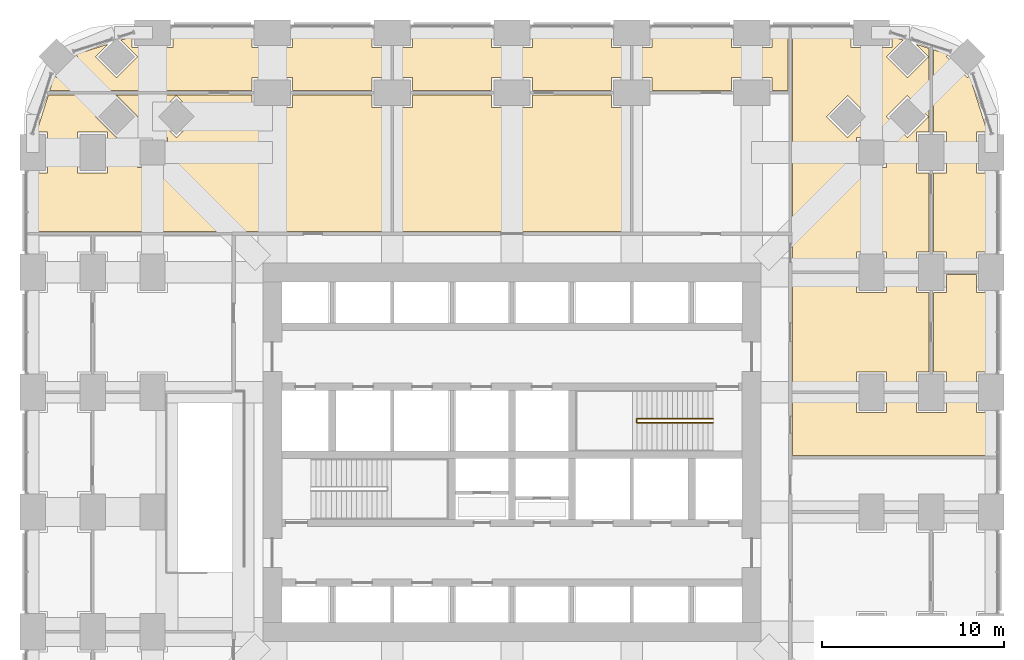
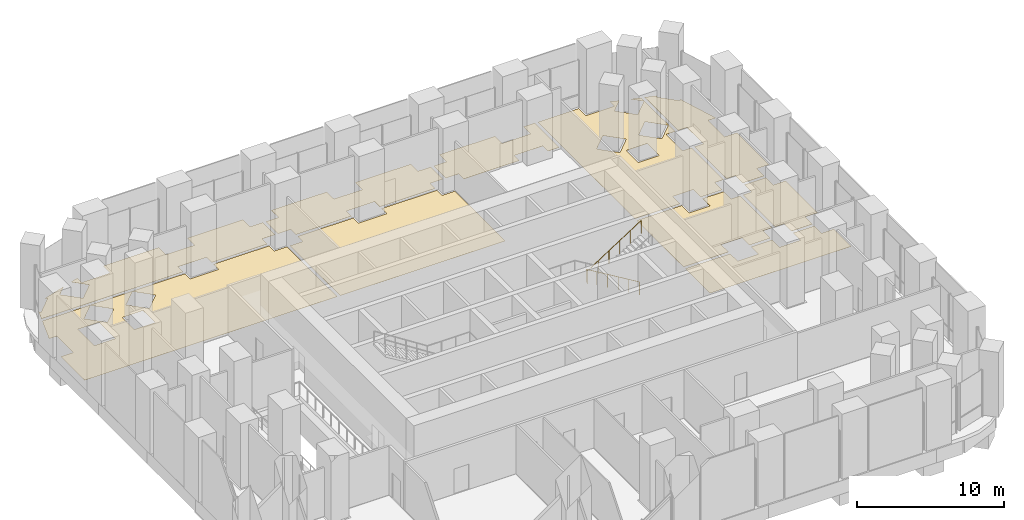
# One storey, part 17 of 17: 10 coverings, 1 railing.
"""IFC4 building model written with IfcOpenShell, lengths in metres."""

from ifc_helpers import new_model, si_unit, direction, frame, origin, place, context, subcontext, project, spatial, polyline, outline, extrude, material, layer, layer_set, type_object, element, save


model = new_model("IFC4")

# Units and contexts
model_context = context("Model", 3, precision=1e-05, world=origin(), true_north=direction((0.0, 1.0)))
body_context = subcontext(model_context, "Body", "Model", "MODEL_VIEW")
ifc_project = project(units=[si_unit("LENGTHUNIT", "METRE"), si_unit("AREAUNIT", "SQUARE_METRE"), si_unit("VOLUMEUNIT", "CUBIC_METRE"), si_unit("PLANEANGLEUNIT", "RADIAN"), si_unit("MASSUNIT", "GRAM", prefix="KILO")], contexts=[model_context])

# Site, building, storey
site_placement = place(None, origin())
site = spatial("IfcSite", under=ifc_project, at=site_placement, CompositionType="ELEMENT")
building_placement = place(site_placement, origin())
building = spatial("IfcBuilding", under=site, at=building_placement, Name="Cobogo Forest Laboratory Tower", CompositionType="ELEMENT")
storey_placement = place(building_placement, frame((0.0, 0.0, 7.199951171875)))
storey = spatial("IfcBuildingStorey", under=building, at=storey_placement, Name="L01", CompositionType="ELEMENT", Elevation=7.199951171875)

# Coverings
ifc_material_1 = material(Name="Carpet tile on raised access floor", Category="flooring")
ifc_layer_1 = layer(ifc_material_1, 0.008056640625)
ifc_layer_set_1 = layer_set([ifc_layer_1], Name="CT1 carpet tile floor 8")
covering_type_1 = type_object("IfcCoveringType", Name="CT1 carpet tile floor 8", PredefinedType="FLOORING", material=ifc_layer_set_1)
covering_1_placement = place(storey_placement, origin())
element("IfcCovering", 1, at=covering_1_placement, inside=storey, type_object=covering_type_1, Name="Carpet floor L01-14", PredefinedType="FLOORING", context=body_context, shape_type="SweptSolid", body=[
    extrude(outline(polyline([(41.844970703125, 32.8798828125), (45.3798828125, 32.8798828125), (45.3798828125, 31.8798828125), (47.02001953125, 31.8798828125), (47.02001953125, 32.8798828125), (48.679931640625, 32.8798828125), (48.679931640625, 31.8798828125), (49.3798828125, 31.8798828125), (49.3798828125, 27.52001953125), (48.679931640625, 27.52001953125), (48.679931640625, 26.52001953125), (47.02001953125, 26.52001953125), (47.02001953125, 27.52001953125), (45.3798828125, 27.52001953125), (45.3798828125, 26.52001953125), (41.844970703125, 26.52001953125), (41.844970703125, 32.8798828125)])), origin(), (0.0, 0.0, 1.0), 0.008056640625),
])
covering_2_placement = place(storey_placement, origin())
element("IfcCovering", 2, at=covering_2_placement, inside=storey, type_object=covering_type_1, Name="Carpet floor L01-15", PredefinedType="FLOORING", context=body_context, shape_type="SweptSolid", body=[
    extrude(outline(polyline([(49.6201171875, 31.8798828125), (50.320068359375, 31.8798828125), (50.320068359375, 32.8798828125), (51.97998046875, 32.8798828125), (51.97998046875, 31.8798828125), (52.949951171875, 31.8798828125), (52.949951171875, 27.52001953125), (51.97998046875, 27.52001953125), (51.97998046875, 26.52001953125), (50.320068359375, 26.52001953125), (50.320068359375, 27.52001953125), (49.6201171875, 27.52001953125), (49.6201171875, 31.8798828125)])), origin(), (0.0, 0.0, 1.0), 0.008056640625),
])
covering_3_placement = place(storey_placement, origin())
element("IfcCovering", 3, at=covering_3_placement, inside=storey, type_object=covering_type_1, Name="Carpet floor L01-17", PredefinedType="FLOORING", context=body_context, shape_type="SweptSolid", body=[
    extrude(outline(polyline([(49.6201171875, 38.47998046875), (50.320068359375, 38.47998046875), (50.320068359375, 40.719970703125), (49.6201171875, 40.719970703125), (49.6201171875, 45.26025390625), (50.441162109375, 45.0009765625), (50.322265625, 44.882080078125), (51.48193359375, 43.722412109375), (51.600830078125, 43.84130859375), (52.586669921875, 40.719970703125), (51.97998046875, 40.719970703125), (51.97998046875, 38.47998046875), (52.949951171875, 38.47998046875), (52.949951171875, 34.1201171875), (51.97998046875, 34.1201171875), (51.97998046875, 33.1201171875), (50.320068359375, 33.1201171875), (50.320068359375, 34.1201171875), (49.6201171875, 34.1201171875), (49.6201171875, 38.47998046875)])), origin(), (0.0, 0.0, 1.0), 0.008056640625),
])
covering_4_placement = place(storey_placement, origin())
element("IfcCovering", 4, at=covering_4_placement, inside=storey, type_object=covering_type_1, Name="Carpet floor L01-19", PredefinedType="FLOORING", context=body_context, shape_type="SweptSolid", body=[
    extrude(outline(polyline([(14.320068359375, 43.02001953125), (14.320068359375, 43.719970703125), (12.080078125, 43.719970703125), (12.080078125, 43.02001953125), (0.939697265625, 43.02001953125), (1.19921875, 43.84130859375), (1.318115234375, 43.722412109375), (2.477783203125, 44.882080078125), (2.358642578125, 45.0009765625), (4.1396484375, 45.563232421875), (3.458251953125, 44.882080078125), (4.617919921875, 43.722412109375), (5.777587890625, 44.882080078125), (4.86669921875, 45.79296875), (5.47998046875, 45.986572265625), (5.47998046875, 45.3798828125), (7.719970703125, 45.3798828125), (7.719970703125, 46.35009765625), (12.080078125, 46.35009765625), (12.080078125, 45.3798828125), (14.320068359375, 45.3798828125), (14.320068359375, 46.35009765625), (18.679931640625, 46.35009765625), (18.679931640625, 45.3798828125), (19.679931640625, 45.3798828125), (19.679931640625, 43.719970703125), (18.679931640625, 43.719970703125), (18.679931640625, 43.02001953125), (14.320068359375, 43.02001953125)])), origin(), (0.0, 0.0, 1.0), 0.008056640625),
])
covering_5_placement = place(storey_placement, origin())
element("IfcCovering", 5, at=covering_5_placement, inside=storey, type_object=covering_type_1, Name="Carpet floor L01-21", PredefinedType="FLOORING", context=body_context, shape_type="SweptSolid", body=[
    extrude(outline(polyline([(27.52001953125, 43.02001953125), (27.52001953125, 43.719970703125), (25.280029296875, 43.719970703125), (25.280029296875, 43.02001953125), (20.919921875, 43.02001953125), (20.919921875, 43.719970703125), (19.919921875, 43.719970703125), (19.919921875, 45.3798828125), (20.919921875, 45.3798828125), (20.919921875, 46.35009765625), (25.280029296875, 46.35009765625), (25.280029296875, 45.3798828125), (27.52001953125, 45.3798828125), (27.52001953125, 46.35009765625), (31.8798828125, 46.35009765625), (31.8798828125, 45.3798828125), (32.8798828125, 45.3798828125), (32.8798828125, 43.719970703125), (31.8798828125, 43.719970703125), (31.8798828125, 43.02001953125), (27.52001953125, 43.02001953125)])), origin(), (0.0, 0.0, 1.0), 0.008056640625),
])
covering_6_placement = place(storey_placement, origin())
element("IfcCovering", 6, at=covering_6_placement, inside=storey, type_object=covering_type_1, Name="Carpet floor L01-23", PredefinedType="FLOORING", context=body_context, shape_type="SweptSolid", body=[
    extrude(outline(polyline([(40.719970703125, 43.02001953125), (40.719970703125, 43.719970703125), (38.47998046875, 43.719970703125), (38.47998046875, 43.02001953125), (34.1201171875, 43.02001953125), (34.1201171875, 43.719970703125), (33.1201171875, 43.719970703125), (33.1201171875, 45.3798828125), (34.1201171875, 45.3798828125), (34.1201171875, 46.35009765625), (38.47998046875, 46.35009765625), (38.47998046875, 45.3798828125), (40.719970703125, 45.3798828125), (40.719970703125, 46.35009765625), (41.60498046875, 46.35009765625), (41.60498046875, 43.02001953125), (40.719970703125, 43.02001953125)])), origin(), (0.0, 0.0, 1.0), 0.008056640625),
])

# Railing
ifc_material_2 = material(Name="Steel balustrade", Category="steel")
railing_type = type_object("IfcRailingType", Name="GR stair guard 1100", PredefinedType="GUARDRAIL", material=ifc_material_2)
railing_placement = place(storey_placement, frame((37.47509765625, 24.929931640625, 0.168701171875)))
element("IfcRailing", 7, at=railing_placement, inside=storey, type_object=railing_type, Name="Stair guard ST2 L01", PredefinedType="GUARDRAIL", context=body_context, shape_type="SweptSolid", body=[
    extrude(outline(polyline([(0.022216796875, 0.00927734375), (0.00927734375, 0.022216796875), (-0.00927734375, 0.022216796875), (-0.022216796875, 0.00927734375), (-0.022216796875, -0.00927734375), (-0.00927734375, -0.022216796875), (0.00927734375, -0.022216796875), (0.022216796875, -0.00927734375), (0.022216796875, 0.00927734375)])), frame((0.0, 0.0, 1.077880859375), z_axis=(-0.856489757249, 0.0, 0.516164020179), x_axis=(0.0, -1.0, 0.0)), (0.0, 0.0, 1.0), 4.904052734375),
    extrude(outline(polyline([(0.022216796875, 0.00927734375), (0.00927734375, 0.022216796875), (-0.00927734375, 0.022216796875), (-0.022216796875, 0.00927734375), (-0.022216796875, -0.00927734375), (-0.00927734375, -0.022216796875), (0.00927734375, -0.022216796875), (0.022216796875, -0.00927734375), (0.022216796875, 0.00927734375)])), frame((-4.2001953125, 0.0, 3.609130859375), z_axis=(0.0, -1.0, 0.0), x_axis=(1.0, 0.0, 0.0)), (0.0, 0.0, 1.0), 0.2099609375),
    extrude(outline(polyline([(0.022216796875, 0.00927734375), (0.00927734375, 0.022216796875), (-0.00927734375, 0.022216796875), (-0.022216796875, 0.00927734375), (-0.022216796875, -0.00927734375), (-0.00927734375, -0.022216796875), (0.00927734375, -0.022216796875), (0.022216796875, -0.00927734375), (0.022216796875, 0.00927734375)])), frame((-4.2001953125, -0.2099609375, 3.609130859375), z_axis=(0.841172120866, 0.0, 0.540767475981), x_axis=(0.0, 1.0, 0.0)), (0.0, 0.0, 1.0), 4.9931640625),
    extrude(outline(polyline([(0.019287109375, 0.008056640625), (0.008056640625, 0.019287109375), (-0.008056640625, 0.019287109375), (-0.019287109375, 0.008056640625), (-0.019287109375, -0.008056640625), (-0.008056640625, -0.019287109375), (0.008056640625, -0.019287109375), (0.019287109375, -0.008056640625), (0.019287109375, 0.008056640625)])), origin(), (0.0, 0.0, 1.0), 1.077880859375),
    extrude(outline(polyline([(0.019287109375, 0.008056640625), (0.008056640625, 0.019287109375), (-0.008056640625, 0.019287109375), (-0.019287109375, 0.008056640625), (-0.019287109375, -0.008056640625), (-0.008056640625, -0.019287109375), (0.008056640625, -0.019287109375), (0.019287109375, -0.008056640625), (0.019287109375, 0.008056640625)])), frame((-0.840087890625, 0.0, 0.50634765625)), (0.0, 0.0, 1.0), 1.077880859375),
    extrude(outline(polyline([(0.019287109375, 0.008056640625), (0.008056640625, 0.019287109375), (-0.008056640625, 0.019287109375), (-0.019287109375, 0.008056640625), (-0.019287109375, -0.008056640625), (-0.008056640625, -0.019287109375), (0.008056640625, -0.019287109375), (0.019287109375, -0.008056640625), (0.019287109375, 0.008056640625)])), frame((-1.68017578125, 0.0, 1.012451171875)), (0.0, 0.0, 1.0), 1.077880859375),
    extrude(outline(polyline([(0.019287109375, 0.008056640625), (0.008056640625, 0.019287109375), (-0.008056640625, 0.019287109375), (-0.019287109375, 0.008056640625), (-0.019287109375, -0.008056640625), (-0.008056640625, -0.019287109375), (0.008056640625, -0.019287109375), (0.019287109375, -0.008056640625), (0.019287109375, 0.008056640625)])), frame((-2.52001953125, 0.0, 1.518798828125)), (0.0, 0.0, 1.0), 1.077880859375),
    extrude(outline(polyline([(0.019287109375, 0.008056640625), (0.008056640625, 0.019287109375), (-0.008056640625, 0.019287109375), (-0.019287109375, 0.008056640625), (-0.019287109375, -0.008056640625), (-0.008056640625, -0.019287109375), (0.008056640625, -0.019287109375), (0.019287109375, -0.008056640625), (0.019287109375, 0.008056640625)])), frame((-3.360107421875, 0.0, 2.02490234375)), (0.0, 0.0, 1.0), 1.077880859375),
    extrude(outline(polyline([(0.019287109375, 0.008056640625), (0.008056640625, 0.019287109375), (-0.008056640625, 0.019287109375), (-0.019287109375, 0.008056640625), (-0.019287109375, -0.008056640625), (-0.008056640625, -0.019287109375), (0.008056640625, -0.019287109375), (0.019287109375, -0.008056640625), (0.019287109375, 0.008056640625)])), frame((-4.2001953125, 0.0, 2.53125)), (0.0, 0.0, 1.0), 1.077880859375),
    extrude(outline(polyline([(0.019287109375, 0.008056640625), (0.008056640625, 0.019287109375), (-0.008056640625, 0.019287109375), (-0.019287109375, 0.008056640625), (-0.019287109375, -0.008056640625), (-0.008056640625, -0.019287109375), (0.008056640625, -0.019287109375), (0.019287109375, -0.008056640625), (0.019287109375, 0.008056640625)])), frame((-4.2001953125, -0.2099609375, 2.53125)), (0.0, 0.0, 1.0), 1.077880859375),
    extrude(outline(polyline([(0.019287109375, 0.008056640625), (0.008056640625, 0.019287109375), (-0.008056640625, 0.019287109375), (-0.019287109375, 0.008056640625), (-0.019287109375, -0.008056640625), (-0.008056640625, -0.019287109375), (0.008056640625, -0.019287109375), (0.019287109375, -0.008056640625), (0.019287109375, 0.008056640625)])), frame((-3.360107421875, -0.2099609375, 3.0712890625)), (0.0, 0.0, 1.0), 1.077880859375),
    extrude(outline(polyline([(0.019287109375, 0.008056640625), (0.008056640625, 0.019287109375), (-0.008056640625, 0.019287109375), (-0.019287109375, 0.008056640625), (-0.019287109375, -0.008056640625), (-0.008056640625, -0.019287109375), (0.008056640625, -0.019287109375), (0.019287109375, -0.008056640625), (0.019287109375, 0.008056640625)])), frame((-2.52001953125, -0.2099609375, 3.611328125)), (0.0, 0.0, 1.0), 1.077880859375),
    extrude(outline(polyline([(0.019287109375, 0.008056640625), (0.008056640625, 0.019287109375), (-0.008056640625, 0.019287109375), (-0.019287109375, 0.008056640625), (-0.019287109375, -0.008056640625), (-0.008056640625, -0.019287109375), (0.008056640625, -0.019287109375), (0.019287109375, -0.008056640625), (0.019287109375, 0.008056640625)])), frame((-1.68017578125, -0.2099609375, 4.1513671875)), (0.0, 0.0, 1.0), 1.077880859375),
    extrude(outline(polyline([(0.019287109375, 0.008056640625), (0.008056640625, 0.019287109375), (-0.008056640625, 0.019287109375), (-0.019287109375, 0.008056640625), (-0.019287109375, -0.008056640625), (-0.008056640625, -0.019287109375), (0.008056640625, -0.019287109375), (0.019287109375, -0.008056640625), (0.019287109375, 0.008056640625)])), frame((-0.840087890625, -0.2099609375, 4.69140625)), (0.0, 0.0, 1.0), 1.077880859375),
    extrude(outline(polyline([(0.019287109375, 0.008056640625), (0.008056640625, 0.019287109375), (-0.008056640625, 0.019287109375), (-0.019287109375, 0.008056640625), (-0.019287109375, -0.008056640625), (-0.008056640625, -0.019287109375), (0.008056640625, -0.019287109375), (0.019287109375, -0.008056640625), (0.019287109375, 0.008056640625)])), frame((0.0, -0.2099609375, 5.2314453125)), (0.0, 0.0, 1.0), 1.077880859375),
])

# Coverings
ifc_material_3 = material(Name="Epoxy resin flooring", Category="flooring")
ifc_layer_2 = layer(ifc_material_3, 0.00390625)
ifc_layer_set_2 = layer_set([ifc_layer_2], Name="LF1 epoxy laboratory floor 4")
covering_type_2 = type_object("IfcCoveringType", Name="LF1 epoxy laboratory floor 4", PredefinedType="FLOORING", material=ifc_layer_set_2)
covering_7_placement = place(storey_placement, origin())
element("IfcCovering", 8, at=covering_7_placement, inside=storey, type_object=covering_type_2, Name="Epoxy laboratory floor L01-16", PredefinedType="FLOORING", context=body_context, shape_type="SweptSolid", body=[
    extrude(outline(polyline([(47.02001953125, 33.1201171875), (47.02001953125, 34.1201171875), (45.3798828125, 34.1201171875), (45.3798828125, 33.1201171875), (41.844970703125, 33.1201171875), (41.844970703125, 46.35009765625), (45.080078125, 46.35009765625), (45.080078125, 45.3798828125), (47.320068359375, 45.3798828125), (47.320068359375, 45.986572265625), (47.933349609375, 45.79296875), (47.022216796875, 44.882080078125), (48.181884765625, 43.722412109375), (49.341552734375, 44.882080078125), (48.660400390625, 45.563232421875), (49.3798828125, 45.3359375), (49.3798828125, 40.719970703125), (48.679931640625, 40.719970703125), (48.679931640625, 38.47998046875), (49.3798828125, 38.47998046875), (49.3798828125, 34.1201171875), (48.679931640625, 34.1201171875), (48.679931640625, 33.1201171875), (47.02001953125, 33.1201171875)]), holes=[polyline([(47.022216796875, 41.58203125), (48.181884765625, 40.42236328125), (49.341552734375, 41.58203125), (48.181884765625, 42.74169921875), (47.022216796875, 41.58203125)]), polyline([(47.02001953125, 40.419921875), (45.3798828125, 40.419921875), (45.3798828125, 38.780029296875), (47.02001953125, 38.780029296875), (47.02001953125, 40.419921875)]), polyline([(43.722412109375, 41.58203125), (44.882080078125, 40.42236328125), (46.041748046875, 41.58203125), (44.882080078125, 42.74169921875), (43.722412109375, 41.58203125)])]), origin(), (0.0, 0.0, 1.0), 0.004150390625),
])
covering_8_placement = place(storey_placement, origin())
element("IfcCovering", 9, at=covering_8_placement, inside=storey, type_object=covering_type_2, Name="Epoxy laboratory floor L01-18", PredefinedType="FLOORING", context=body_context, shape_type="SweptSolid", body=[
    extrude(outline(polyline([(19.679931640625, 35.2451171875), (-0.14990234375, 35.2451171875), (-0.14990234375, 38.47998046875), (0.820068359375, 38.47998046875), (0.820068359375, 40.719970703125), (0.21337890625, 40.719970703125), (0.864013671875, 42.780029296875), (12.080078125, 42.780029296875), (12.080078125, 42.080078125), (14.320068359375, 42.080078125), (14.320068359375, 42.780029296875), (18.679931640625, 42.780029296875), (18.679931640625, 42.080078125), (19.679931640625, 42.080078125), (19.679931640625, 35.2451171875)]), holes=[polyline([(6.75830078125, 41.58203125), (7.91796875, 40.42236328125), (9.07763671875, 41.58203125), (7.91796875, 42.74169921875), (6.75830078125, 41.58203125)]), polyline([(5.780029296875, 40.419921875), (5.780029296875, 38.780029296875), (7.419921875, 38.780029296875), (7.419921875, 40.419921875), (5.780029296875, 40.419921875)]), polyline([(3.458251953125, 41.58203125), (4.617919921875, 40.42236328125), (5.777587890625, 41.58203125), (4.617919921875, 42.74169921875), (3.458251953125, 41.58203125)]), polyline([(2.47998046875, 38.47998046875), (4.1201171875, 38.47998046875), (4.1201171875, 40.719970703125), (2.47998046875, 40.719970703125), (2.47998046875, 38.47998046875)])]), origin(), (0.0, 0.0, 1.0), 0.004150390625),
])
covering_9_placement = place(storey_placement, origin())
element("IfcCovering", 10, at=covering_9_placement, inside=storey, type_object=covering_type_2, Name="Epoxy laboratory floor L01-20", PredefinedType="FLOORING", context=body_context, shape_type="SweptSolid", body=[
    extrude(outline(polyline([(19.919921875, 42.080078125), (20.919921875, 42.080078125), (20.919921875, 42.780029296875), (25.280029296875, 42.780029296875), (25.280029296875, 42.080078125), (27.52001953125, 42.080078125), (27.52001953125, 42.780029296875), (31.8798828125, 42.780029296875), (31.8798828125, 42.080078125), (32.8798828125, 42.080078125), (32.8798828125, 35.2451171875), (19.919921875, 35.2451171875), (19.919921875, 42.080078125)])), origin(), (0.0, 0.0, 1.0), 0.004150390625),
])
ifc_material_4 = material(Name="Static-dissipative vinyl flooring", Category="flooring")
ifc_layer_3 = layer(ifc_material_4, 0.0029296875)
ifc_layer_set_3 = layer_set([ifc_layer_3], Name="SD1 static-dissipative vinyl floor 3")
covering_type_3 = type_object("IfcCoveringType", Name="SD1 static-dissipative vinyl floor 3", PredefinedType="FLOORING", material=ifc_layer_set_3)
covering_10_placement = place(storey_placement, origin())
element("IfcCovering", 11, at=covering_10_placement, inside=storey, type_object=covering_type_3, Name="Static-dissipative floor L01-13", PredefinedType="FLOORING", context=body_context, shape_type="SweptSolid", body=[
    extrude(outline(polyline([(41.844970703125, 26.280029296875), (45.3798828125, 26.280029296875), (45.3798828125, 25.280029296875), (47.02001953125, 25.280029296875), (47.02001953125, 26.280029296875), (48.679931640625, 26.280029296875), (48.679931640625, 25.280029296875), (50.320068359375, 25.280029296875), (50.320068359375, 26.280029296875), (51.97998046875, 26.280029296875), (51.97998046875, 25.280029296875), (52.949951171875, 25.280029296875), (52.949951171875, 22.919921875), (41.844970703125, 22.919921875), (41.844970703125, 26.280029296875)])), origin(), (0.0, 0.0, 1.0), 0.0029296875),
])

save(model, "model.ifc")
